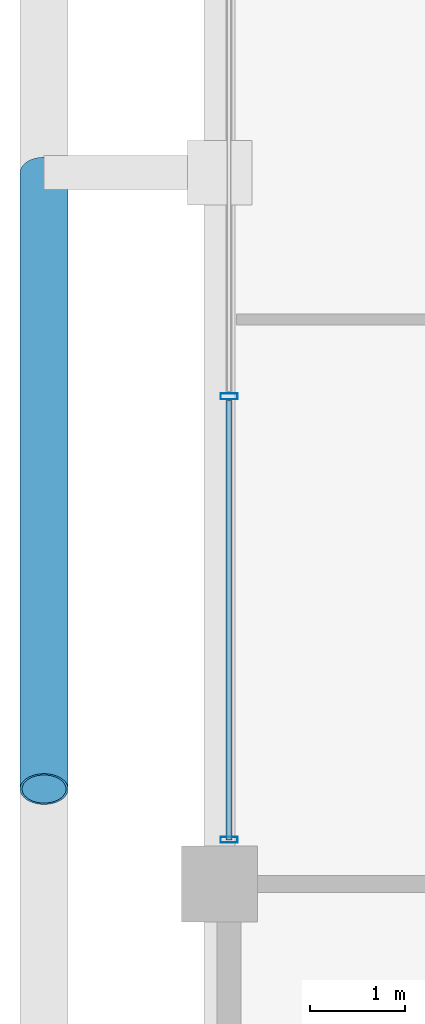
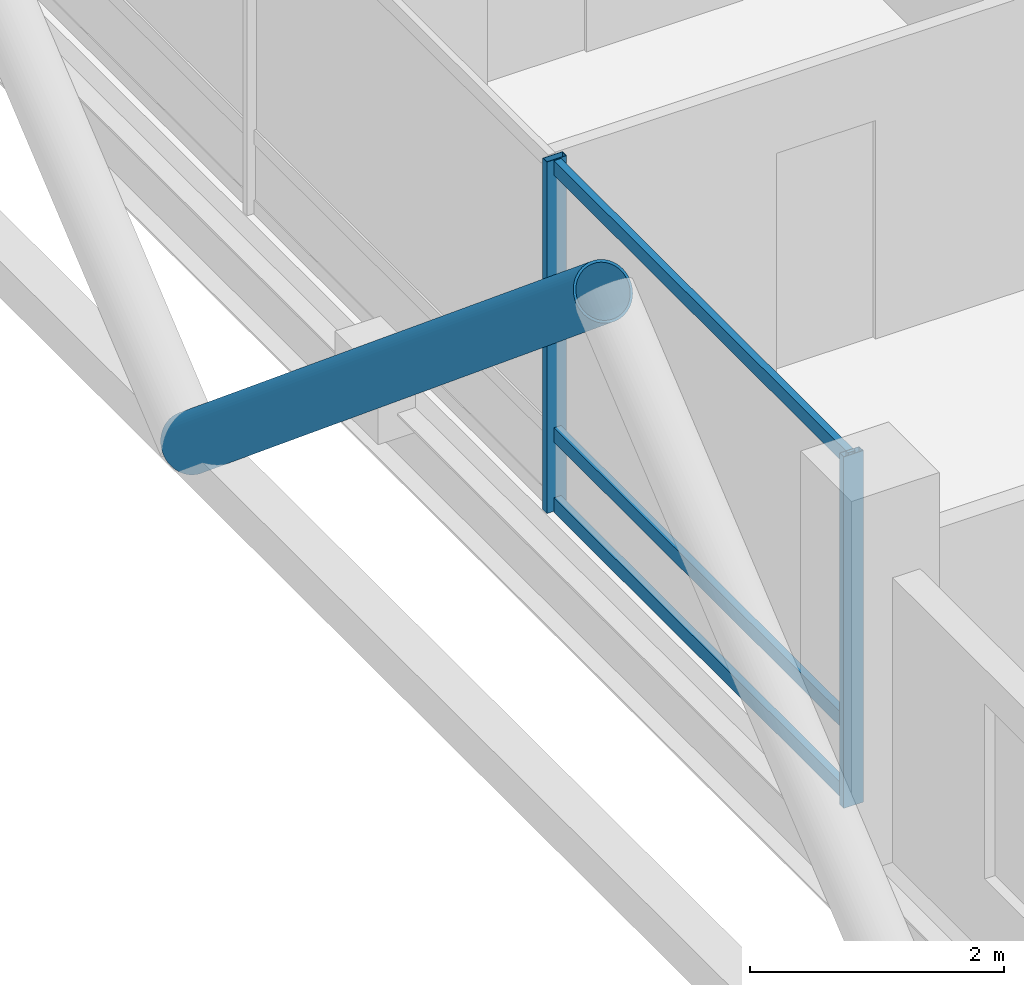
# One storey, part 5 of 25: 6 members, 1 element without a shape of its own.
"""IFC4 building model written with IfcOpenShell, lengths in metres."""

from ifc_helpers import new_model, si_unit, direction, frame, origin, origin_2d, place, context, subcontext, project, spatial, hollow_rectangle, hollow_circle, extrude, material, layer, layer_set, material_profile, profile_set, type_object, element, aggregate, save


model = new_model("IFC4")

# Units and contexts
model_context = context("Model", 3, precision=1e-05, world=origin(), true_north=direction((0.0, 1.0)))
body_context = subcontext(model_context, "Body", "Model", "MODEL_VIEW")
ifc_project = project(units=[si_unit("LENGTHUNIT", "METRE"), si_unit("AREAUNIT", "SQUARE_METRE"), si_unit("VOLUMEUNIT", "CUBIC_METRE"), si_unit("PLANEANGLEUNIT", "RADIAN"), si_unit("MASSUNIT", "GRAM", prefix="KILO")], contexts=[model_context])

# Site, building, storey
site_placement = place(None, origin())
site = spatial("IfcSite", under=ifc_project, at=site_placement, CompositionType="ELEMENT")
building_placement = place(site_placement, origin())
building = spatial("IfcBuilding", under=site, at=building_placement, Name="Barlavira Tower and Art Museum", CompositionType="ELEMENT")
storey_placement = place(building_placement, frame((0.0, 0.0, 133.199951171875)))
storey = spatial("IfcBuildingStorey", under=building, at=storey_placement, Name="L33", CompositionType="ELEMENT", Elevation=133.199951171875)

# Curtain wall, members
ifc_material_1 = material(Name="Low-iron coastal laminated glass", Category="glass")
ifc_layer = layer(ifc_material_1, 0.18994140625, Name="Low-iron coastal laminated glass")
ifc_layer_set = layer_set([ifc_layer], Name="Low-iron coastal laminated glass")
curtain_wall_type = type_object("IfcCurtainWallType", Name="Pale-Metal Unitised Curtain Wall Zone 2", PredefinedType="NOTDEFINED", material=ifc_layer_set)
curtain_wall_placement = place(storey_placement, origin())
curtain_wall = element("IfcCurtainWall", 1, at=curtain_wall_placement, inside=storey, type_object=curtain_wall_type, Name="L33 Curtain Wall CW2-L33-W-B3", PredefinedType="NOTDEFINED")
ifc_material_2 = material(Name="Pale anodised aluminium", Category="aluminium")
ifc_material_profile_1 = material_profile(ifc_material_2, hollow_rectangle(XDim=0.06494140625, YDim=0.179931640625, WallThickness=0.00390625, at=origin_2d()), Name="ALU-MULL 65x180x4")
ifc_profile_set_1 = profile_set([ifc_material_profile_1], Name="Pale anodised aluminium")
member_type_1 = type_object("IfcMemberType", Name="Curtain Wall Pale-Metal Mullion 65x180", PredefinedType="MULLION", material=ifc_profile_set_1)
member_1_placement = place(storey_placement, frame((-20.14990234375, -2.360107421875, 0.0), z_axis=(0.0, 0.0, 1.0), x_axis=(0.0, -1.0, 0.0)))
member_1 = element("IfcMember", 2, at=member_1_placement, type_object=member_type_1, Name="CW2-L33-W-B3 Mullion 2", PredefinedType="MULLION", context=body_context, shape_type="SweptSolid", body=[
    extrude(hollow_rectangle(XDim=0.06494140625, YDim=0.179931640625, WallThickness=0.00390625, at=origin_2d()), origin(), (0.0, 0.0, 1.0), 3.380126953125),
])
member_2_placement = place(storey_placement, frame((-20.14990234375, -7.034912109375, 0.0), z_axis=(0.0, 0.0, 1.0), x_axis=(0.0, -1.0, 0.0)))
member_2 = element("IfcMember", 3, at=member_2_placement, type_object=member_type_1, Name="CW2-L33-W-B3 Mullion 3", PredefinedType="MULLION", context=body_context, shape_type="SweptSolid", body=[
    extrude(hollow_rectangle(XDim=0.06494140625, YDim=0.179931640625, WallThickness=0.00390625, at=origin_2d()), origin(), (0.0, 0.0, 1.0), 3.380126953125),
])
ifc_material_profile_2 = material_profile(ifc_material_2, hollow_rectangle(XDim=0.06494140625, YDim=0.139892578125, WallThickness=0.00390625, at=origin_2d()), Name="ALU-TRAN 65x140x4")
ifc_profile_set_2 = profile_set([ifc_material_profile_2], Name="Pale anodised aluminium")
member_type_2 = type_object("IfcMemberType", Name="Curtain Wall Pale-Metal Transom 65x140", PredefinedType="USERDEFINED", material=ifc_profile_set_2)
member_3_placement = place(storey_placement, frame((-20.14990234375, -2.405029296875, 0.070068359375), z_axis=(0.0, -1.0, 0.0), x_axis=(1.0, 0.0, 0.0)))
member_3 = element("IfcMember", 4, at=member_3_placement, type_object=member_type_2, Name="CW2-L33-W-B3 Transom 2.1", ObjectType="TRANSOM", PredefinedType="USERDEFINED", context=body_context, shape_type="SweptSolid", body=[
    extrude(hollow_rectangle(XDim=0.06494140625, YDim=0.139892578125, WallThickness=0.00390625, at=origin_2d()), origin(), (0.0, 0.0, 1.0), 4.6298828125),
])
member_4_placement = place(storey_placement, frame((-20.14990234375, -2.405029296875, 0.744140625), z_axis=(0.0, -1.0, 0.0), x_axis=(1.0, 0.0, 0.0)))
member_4 = element("IfcMember", 5, at=member_4_placement, type_object=member_type_2, Name="CW2-L33-W-B3 Transom 2.2", ObjectType="TRANSOM", PredefinedType="USERDEFINED", context=body_context, shape_type="SweptSolid", body=[
    extrude(hollow_rectangle(XDim=0.06494140625, YDim=0.139892578125, WallThickness=0.00390625, at=origin_2d()), origin(), (0.0, 0.0, 1.0), 4.6298828125),
])
member_5_placement = place(storey_placement, frame((-20.14990234375, -2.405029296875, 3.31005859375), z_axis=(0.0, -1.0, 0.0), x_axis=(1.0, 0.0, 0.0)))
member_5 = element("IfcMember", 6, at=member_5_placement, type_object=member_type_2, Name="CW2-L33-W-B3 Transom 2.3", ObjectType="TRANSOM", PredefinedType="USERDEFINED", context=body_context, shape_type="SweptSolid", body=[
    extrude(hollow_rectangle(XDim=0.06494140625, YDim=0.139892578125, WallThickness=0.00390625, at=origin_2d()), origin(), (0.0, 0.0, 1.0), 4.6298828125),
])
aggregate(curtain_wall, [member_1, member_2, member_3, member_4, member_5])

# Member
ifc_material_3 = material(Name="Steel S355", Category="steel")
ifc_material_profile_3 = material_profile(ifc_material_3, hollow_circle(Radius=0.25390625, WallThickness=0.022216796875, at=origin_2d()), Name="CHS 508.0x22.2")
ifc_profile_set_3 = profile_set([ifc_material_profile_3], Name="Steel S355")
member_type_3 = type_object("IfcMemberType", Name="Pale-Metal Exoskeleton Diagrid Tube CHS 508x22 Steel S355", PredefinedType="BRACE", material=ifc_profile_set_3)
member_6_placement = place(storey_placement, frame((-22.10009765625, 0.0, -0.119873046875), z_axis=(0.0, -0.769196053329, 0.639012857104), x_axis=(1.0, 0.0, 0.0)))
element("IfcMember", 7, at=member_6_placement, inside=storey, type_object=member_type_3, Name="L33 Exoskeleton Diagrid Tube W", PredefinedType="BRACE", context=body_context, shape_type="SweptSolid", body=[
    extrude(hollow_circle(Radius=0.25390625, WallThickness=0.022216796875, at=origin_2d()), origin(), (0.0, 0.0, 1.0), 8.450439453125),
])

save(model, "model.ifc")
